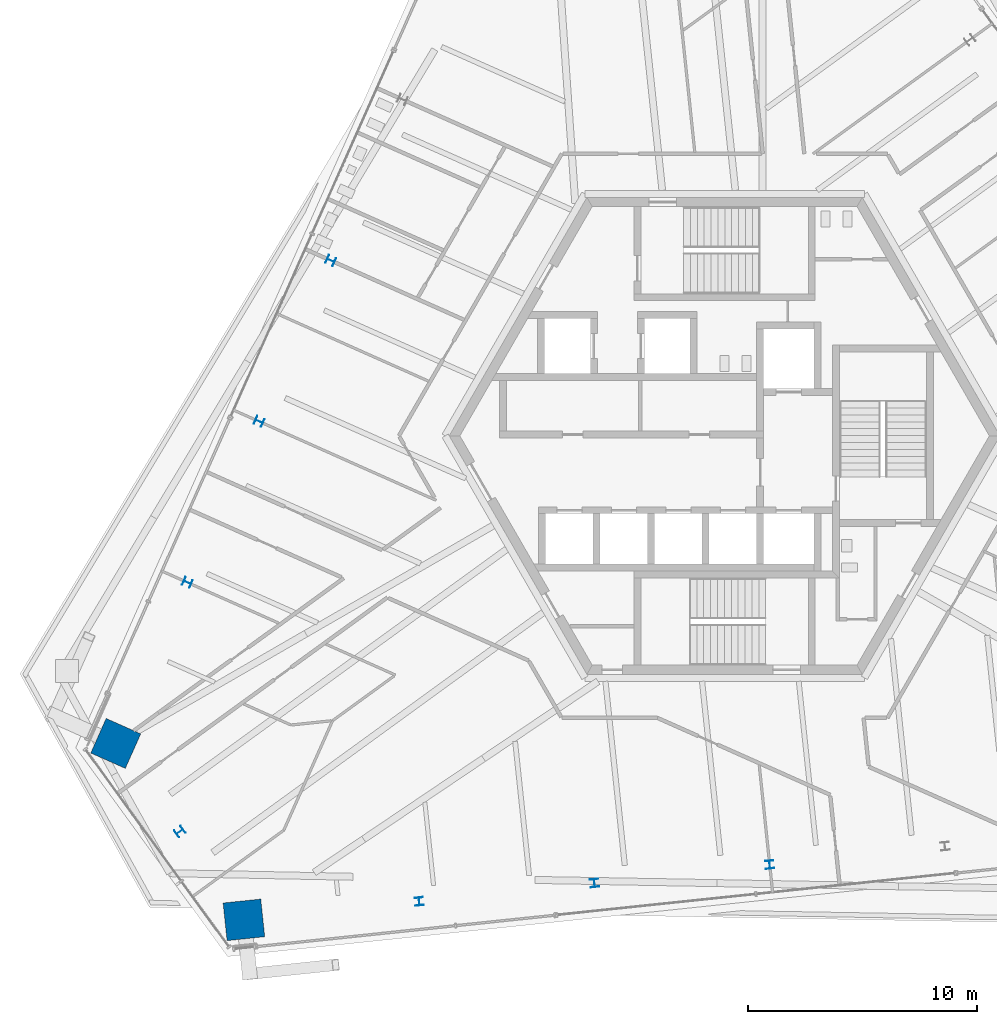
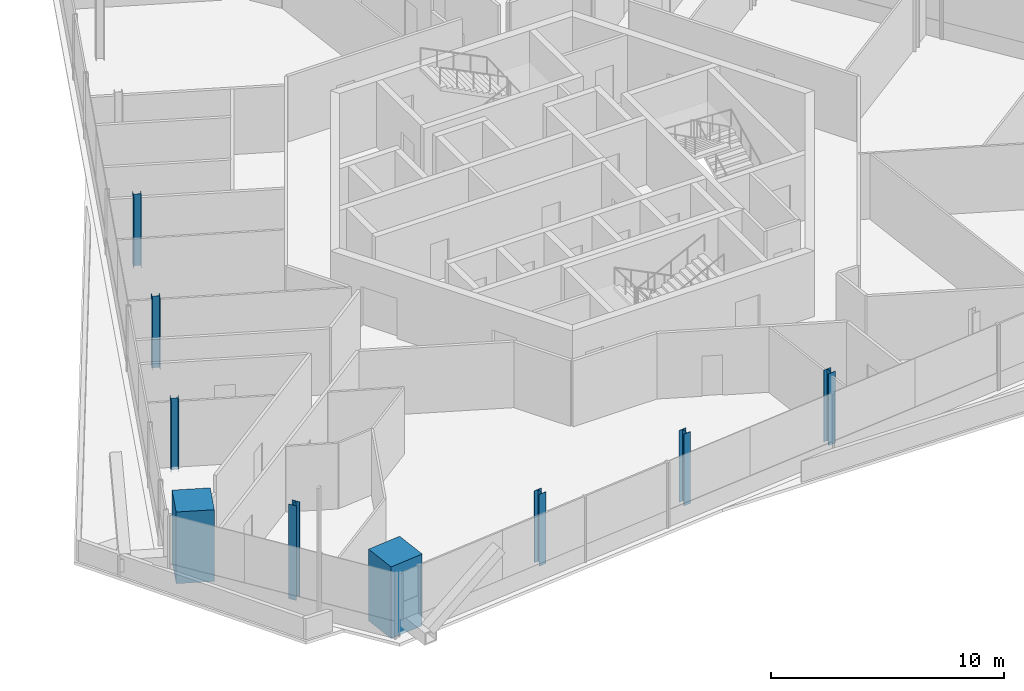
# One storey, part 1 of 21: 9 columns.
"""IFC4 building model written with IfcOpenShell, lengths in metres."""

from ifc_helpers import new_model, si_unit, direction, frame, origin, origin_2d, place, context, subcontext, project, spatial, rectangle, i_section, extrude, source, transform, mapped, material, material_profile, profile_set, type_object, element, save


model = new_model("IFC4")

# Units and contexts
model_context = context("Model", 3, precision=1e-05, world=origin(), true_north=direction((0.0, 1.0)))
body_context = subcontext(model_context, "Body", "Model", "MODEL_VIEW")
ifc_project = project(units=[si_unit("LENGTHUNIT", "METRE"), si_unit("AREAUNIT", "SQUARE_METRE"), si_unit("VOLUMEUNIT", "CUBIC_METRE"), si_unit("PLANEANGLEUNIT", "RADIAN"), si_unit("MASSUNIT", "GRAM", prefix="KILO")], contexts=[model_context])

# Site, building, storey
site_placement = place(None, origin())
site = spatial("IfcSite", under=ifc_project, at=site_placement, CompositionType="ELEMENT")
building_placement = place(site_placement, origin())
building = spatial("IfcBuilding", under=site, at=building_placement, Name="Triune Harvest Tower", CompositionType="ELEMENT")
storey_placement = place(building_placement, frame((0.0, 0.0, 219.699951171875)))
storey = spatial("IfcBuildingStorey", under=building, at=storey_placement, Name="L57", CompositionType="ELEMENT", Elevation=219.699951171875)

# Columns
ifc_material_1 = material(Name="Concrete 70 MPa", Category="concrete")
ifc_material_profile_1 = material_profile(ifc_material_1, rectangle(XDim=1.64990234375, YDim=1.64990234375, at=origin_2d()), Name="Composite 1650x1650")
ifc_profile_set_1 = profile_set([ifc_material_profile_1], Name="Concrete 70 MPa")
column_type_1 = type_object("IfcColumnType", Name="MC-6 Mega column Composite 1650x1650", PredefinedType="COLUMN", material=ifc_profile_set_1)
shared_shape_1 = source(origin(), body_context, "Body", "SweptSolid", [
    extrude(rectangle(XDim=1.64990234375, YDim=1.64990234375, at=origin_2d()), origin(), (0.0, 0.0, 1.0), 3.760009765625),
])
for number, where, z_axis, x_axis, name in (
    (1, (-26.5341796875, -13.40478515625, -0.159912109375), (0.0, 0.0, 1.0), (-0.406738237513, -0.913544747752, 0.0), "col/L57/M14"),
    (2, (-20.9482421875, -21.09326171875, -0.159912109375), (0.0, 0.0, 1.0), (0.99452171293, 0.104530199036, 0.0), "col/L57/M16"),
):
    element("IfcColumn", number, at=place(storey_placement, frame(where, z_axis=z_axis, x_axis=x_axis)), inside=storey, type_object=column_type_1, Name=name, PredefinedType="COLUMN", context=body_context, shape_type="MappedRepresentation", body=[
        mapped(shared_shape_1, transform((0.0, 0.0, 0.0), scale=1.0)),
    ])
ifc_material_2 = material(Name="Steel ASTM A992 Gr 50", Category="steel")
ifc_material_profile_2 = material_profile(ifc_material_2, i_section(OverallWidth=0.368408203125, OverallDepth=0.355712890625, WebThickness=0.01123046875, FlangeThickness=0.01806640625, at=origin_2d()), Name="W14x90")
ifc_profile_set_2 = profile_set([ifc_material_profile_2], Name="Steel ASTM A992 Gr 50")
column_type_2 = type_object("IfcColumnType", Name="PC-6 Perimeter column W14x90", PredefinedType="COLUMN", material=ifc_profile_set_2)
shared_shape_2 = source(origin(), body_context, "Body", "SweptSolid", [
    extrude(i_section(OverallWidth=0.368408203125, OverallDepth=0.355712890625, WebThickness=0.01123046875, FlangeThickness=0.01806640625, at=origin_2d()), origin(), (0.0, 0.0, 1.0), 3.760009765625),
])
for number, where, z_axis, x_axis, name in (
    (3, (-17.163818359375, 7.641845703125, -0.159912109375), (0.0, 0.0, 1.0), (-0.406738237513, -0.913544747752, 0.0), "col/L57/P11"),
    (4, (-20.287109375, 0.626220703125, -0.159912109375), (0.0, 0.0, 1.0), (-0.406738237513, -0.913544747752, 0.0), "col/L57/P12"),
    (5, (-23.41064453125, -6.389404296875, -0.159912109375), (0.0, 0.0, 1.0), (-0.406738237513, -0.913544747752, 0.0), "col/L57/P13"),
    (6, (-13.310791015625, -20.29052734375, -0.159912109375), (0.0, 0.0, 1.0), (0.99452171293, 0.104530199036, 0.0), "col/L57/P17"),
    (7, (-5.673583984375, -19.48779296875, -0.159912109375), (0.0, 0.0, 1.0), (0.99452171293, 0.104530199036, 0.0), "col/L57/P18"),
    (8, (1.9638671875, -18.68505859375, -0.159912109375), (0.0, 0.0, 1.0), (0.99452171293, 0.104530199036, 0.0), "col/L57/P19"),
):
    element("IfcColumn", number, at=place(storey_placement, frame(where, z_axis=z_axis, x_axis=x_axis)), inside=storey, type_object=column_type_2, Name=name, PredefinedType="COLUMN", context=body_context, shape_type="MappedRepresentation", body=[
        mapped(shared_shape_2, transform((0.0, 0.0, 0.0), scale=1.0)),
    ])
shared_shape_3 = source(origin(), body_context, "Body", "SweptSolid", [
    extrude(i_section(OverallWidth=0.368408203125, OverallDepth=0.355712890625, WebThickness=0.01123046875, FlangeThickness=0.01806640625, at=origin_2d()), origin(), (0.0, 0.0, 1.0), 4.9599609375),
])
column_placement = place(storey_placement, frame((-23.7412109375, -17.2490234375, -0.159912109375), z_axis=(0.0, 0.0, 1.0), x_axis=(0.587785252292, -0.809016994375, 0.0)))
element("IfcColumn", 9, at=column_placement, inside=storey, type_object=column_type_2, Name="col/L57/P15", PredefinedType="COLUMN", context=body_context, shape_type="MappedRepresentation", body=[
    mapped(shared_shape_3, transform((0.0, 0.0, 0.0), scale=1.0)),
])

save(model, "model.ifc")
